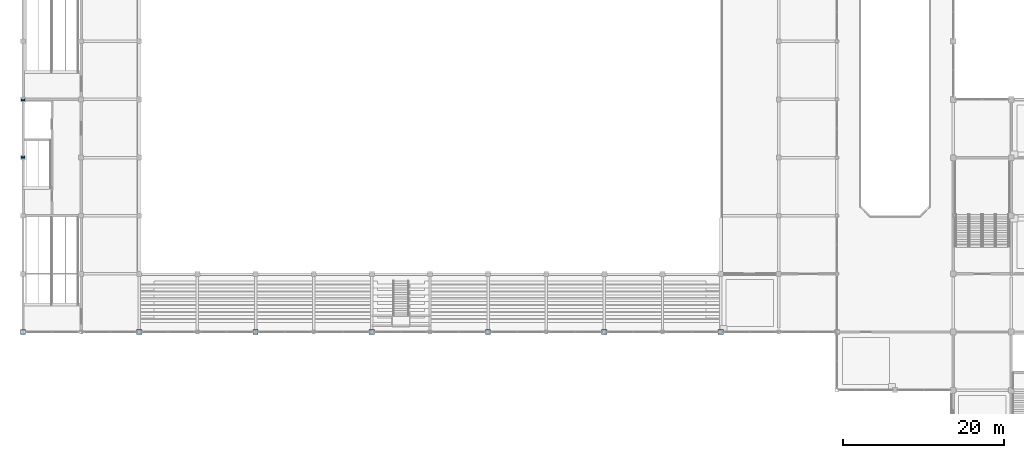
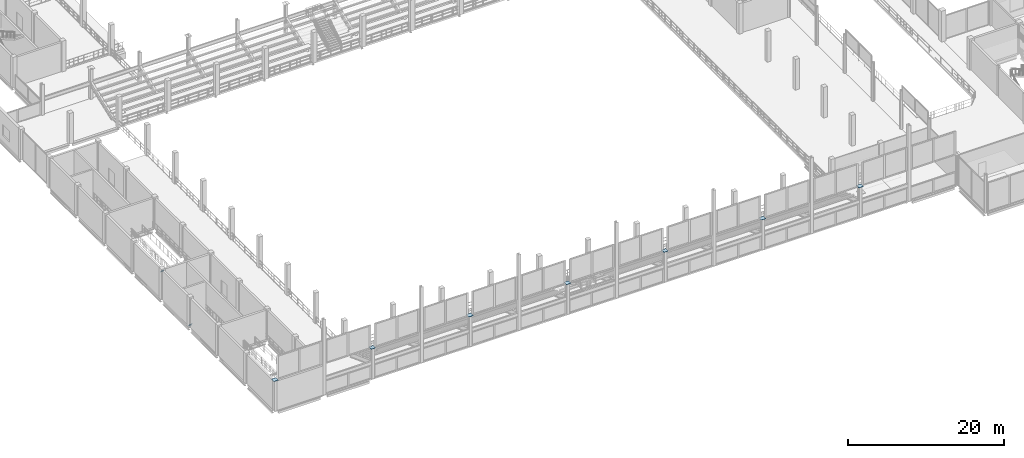
# One storey, part 86 of 120: 9 plates.
"""IFC4 building model written with IfcOpenShell, lengths in metres."""

from ifc_helpers import new_model, si_unit, direction, frame, origin, origin_2d, place, context, subcontext, project, spatial, rectangle, extrude, material, layer, layer_set, type_object, element, save


model = new_model("IFC4")

# Units and contexts
model_context = context("Model", 3, precision=1e-05, world=origin(), true_north=direction((0.0, 1.0)))
body_context = subcontext(model_context, "Body", "Model", "MODEL_VIEW")
ifc_project = project(units=[si_unit("LENGTHUNIT", "METRE"), si_unit("AREAUNIT", "SQUARE_METRE"), si_unit("VOLUMEUNIT", "CUBIC_METRE"), si_unit("PLANEANGLEUNIT", "RADIAN"), si_unit("MASSUNIT", "GRAM", prefix="KILO")], contexts=[model_context])

# Site, building, storey
site_placement = place(None, origin())
site = spatial("IfcSite", under=ifc_project, at=site_placement, CompositionType="ELEMENT")
building_placement = place(site_placement, origin())
building = spatial("IfcBuilding", under=site, at=building_placement, Name="Vesperath Aquatics Centre", CompositionType="ELEMENT")
storey_placement = place(building_placement, frame((0.0, 0.0, 10.199951171875)))
storey = spatial("IfcBuildingStorey", under=building, at=storey_placement, Name="L02", CompositionType="ELEMENT", Elevation=10.199951171875)

# Plates
ifc_material = material(Name="Steel Q355D", Category="steel")
ifc_layer_1 = layer(ifc_material, 0.031982421875)
ifc_layer_set_1 = layer_set([ifc_layer_1], Name="Steel Q355D")
plate_type_1 = type_object("IfcPlateType", Name="PT-BP01", PredefinedType="SHEET", material=ifc_layer_set_1)
for number, where, z_axis, x_axis, name in (
    (1, (0.0, 14.39990234375, 4.76416015625), (0.0, 0.0, 1.0), (1.0, 0.0, 0.0), "Truss Bearing Base Plate NP01 G1/C"),
    (2, (14.39990234375, 14.39990234375, 4.76416015625), (0.0, 0.0, 1.0), (1.0, 0.0, 0.0), "Truss Bearing Base Plate NP01 G3/C"),
    (3, (28.800048828125, 14.39990234375, 4.76416015625), (0.0, 0.0, 1.0), (1.0, 0.0, 0.0), "Truss Bearing Base Plate NP01 G5/C"),
    (4, (43.199951171875, 14.39990234375, 4.76416015625), (0.0, 0.0, 1.0), (1.0, 0.0, 0.0), "Truss Bearing Base Plate NP01 G7/C"),
    (5, (57.60009765625, 14.39990234375, 4.76416015625), (0.0, 0.0, 1.0), (1.0, 0.0, 0.0), "Truss Bearing Base Plate NP01 G9/C"),
    (6, (72.0, 14.39990234375, 4.76416015625), (0.0, 0.0, 1.0), (1.0, 0.0, 0.0), "Truss Bearing Base Plate NP01 G11/C"),
    (7, (86.39990234375, 14.39990234375, 4.76416015625), (0.0, 0.0, 1.0), (1.0, 0.0, 0.0), "Truss Bearing Base Plate NP01 G13/C"),
):
    element("IfcPlate", number, at=place(storey_placement, frame(where, z_axis=z_axis, x_axis=x_axis)), inside=storey, type_object=plate_type_1, Name=name, PredefinedType="SHEET", context=body_context, shape_type="SweptSolid", body=[
        extrude(rectangle(XDim=0.64990234375, YDim=0.64990234375, at=origin_2d()), origin(), (0.0, 0.0, 1.0), 0.031982421875),
    ])
ifc_layer_2 = layer(ifc_material, 0.02392578125)
ifc_layer_set_2 = layer_set([ifc_layer_2], Name="Steel Q355D")
plate_type_2 = type_object("IfcPlateType", Name="PT-TN04", PredefinedType="SHEET", material=ifc_layer_set_2)
for number, where, z_axis, x_axis, name in (
    (8, (0.0, 36.048583984375, 0.17822265625), (0.0, 0.863778900717, 0.503871025835), (-1.0, 0.0, 0.0), "Truss Node Cap Plate TN04"),
    (9, (0.0, 43.131103515625, 4.3095703125), (0.0, 0.863778900717, 0.503871025835), (-1.0, 0.0, 0.0), "Truss Node Cap Plate TN04"),
):
    element("IfcPlate", number, at=place(storey_placement, frame(where, z_axis=z_axis, x_axis=x_axis)), inside=storey, type_object=plate_type_2, Name=name, PredefinedType="SHEET", context=body_context, shape_type="SweptSolid", body=[
        extrude(rectangle(XDim=0.419921875, YDim=0.419921875, at=origin_2d()), origin(), (0.0, 0.0, 1.0), 0.02392578125),
    ])

save(model, "model.ifc")
